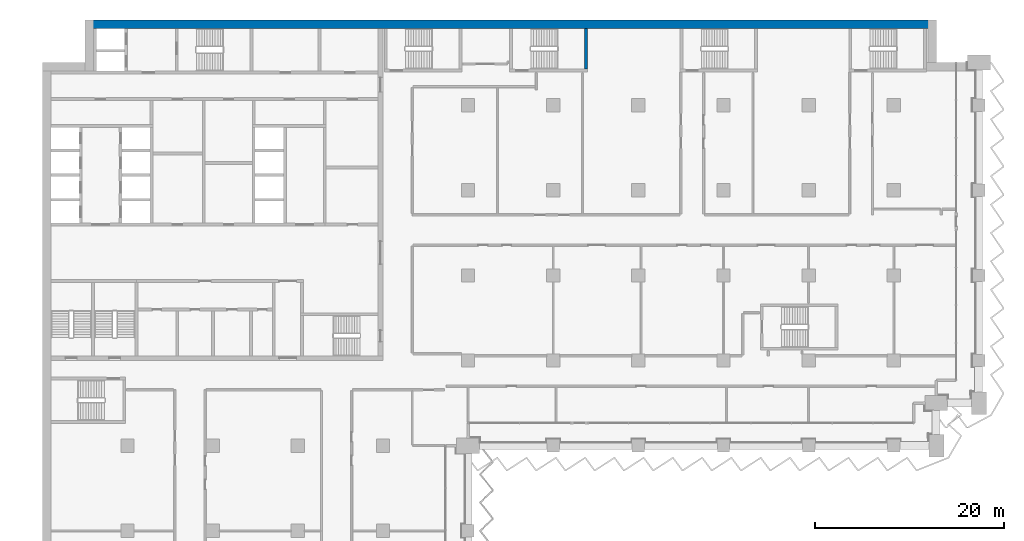
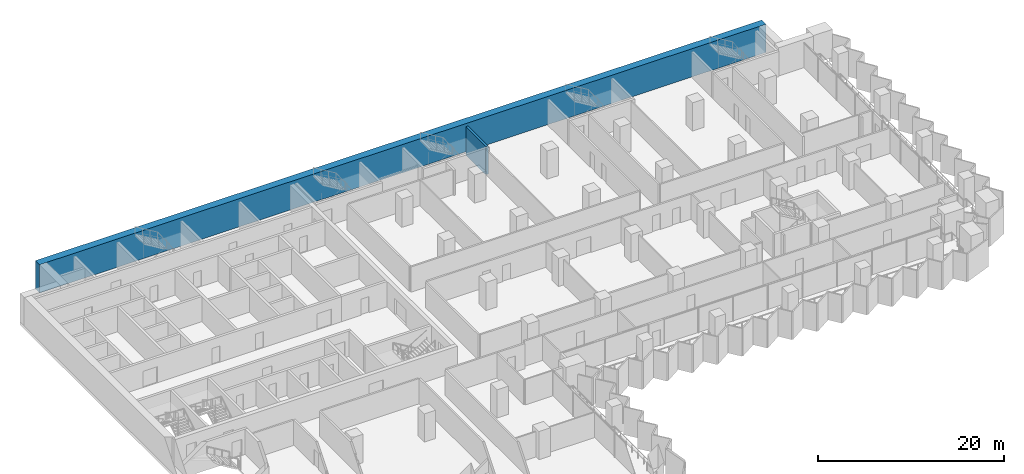
# One storey, part 18 of 29: 2 walls.
"""IFC4 building model written with IfcOpenShell, lengths in metres."""

import ifcopenshell
import ifcopenshell.guid

model = None  # the IFC model being written
_history = None  # IfcOwnerHistory: only IFC2X3 demands one
_inside = {}  # id of a spatial element -> (the spatial element, [elements in it])
_under = {}  # id of a project, library or spatial element -> (it, [spatial elements below it])
_declared = {}  # id of a project -> (the project, [libraries it declares])
_typed = {}  # id of a type object -> (the type object, [elements of that type])
_made_of = {}  # id of a material, layer set ... -> (it, [elements and type objects made of it])


def new_model(schema):
    """Start an empty IFC model of exactly this schema.

    Asked for "IFC4X3", IfcOpenShell would pick the latest addendum, in which some entities
    have other attributes; the version numbers below select the first issue.
    IFC2X3 requires an IfcOwnerHistory on every rooted entity: one is made here for all.
    """
    global model, _history
    if schema == "IFC4X3":
        model = ifcopenshell.file(schema_version=(4, 3, 0, 0))
    else:
        model = ifcopenshell.file(schema=schema)
    _inside.clear()
    _under.clear()
    _declared.clear()
    _typed.clear()
    _made_of.clear()
    _history = None
    if model.schema == "IFC2X3":
        org = make("IfcOrganization", Name="unknown")
        user = make(
            "IfcPersonAndOrganization",
            ThePerson=make("IfcPerson", FamilyName="unknown"),
            TheOrganization=org,
        )
        app = make(
            "IfcApplication",
            ApplicationDeveloper=org,
            Version="unknown",
            ApplicationFullName="unknown",
            ApplicationIdentifier="unknown",
        )
        _history = make(
            "IfcOwnerHistory",
            OwningUser=user,
            OwningApplication=app,
            ChangeAction="ADDED",
            CreationDate=0,
        )
    return model


def make(cls, **values):
    """One entity of the class cls with the attributes given. An attribute that is None is left unset."""
    return model.create_entity(
        cls, **{name: value for name, value in values.items() if value is not None}
    )


def rooted(cls, **values):
    """An entity with a GlobalId (a new one), such as an element, a storey or a relation."""
    return make(cls, GlobalId=ifcopenshell.guid.new(), OwnerHistory=_history, **values)


def si_unit(unit_type, name, prefix=None):
    """IfcSIUnit, for example si_unit("LENGTHUNIT", "METRE", prefix="MILLI")."""
    return make("IfcSIUnit", UnitType=unit_type, Prefix=prefix, Name=name)


def assignment(units):
    """IfcUnitAssignment: the units of a project."""
    return None if units is None else make("IfcUnitAssignment", Units=units)


def point(xyz):
    """IfcCartesianPoint."""
    return None if xyz is None else make("IfcCartesianPoint", Coordinates=xyz)


def direction(xyz):
    """IfcDirection."""
    return None if xyz is None else make("IfcDirection", DirectionRatios=xyz)


def frame(location, z_axis=None, x_axis=None):
    """IfcAxis2Placement3D, a coordinate frame: its origin and axes. An axis left out is left unset."""
    return make(
        "IfcAxis2Placement3D",
        Location=point(location),
        Axis=direction(z_axis),
        RefDirection=direction(x_axis),
    )


def frame_2d(location, x_axis=None):
    """IfcAxis2Placement2D, a coordinate frame in the plane: its origin and x axis."""
    return make(
        "IfcAxis2Placement2D", Location=point(location), RefDirection=direction(x_axis)
    )


def origin():
    """The frame at (0, 0, 0) with its axes left unset."""
    return frame((0.0, 0.0, 0.0))


def place(relative_to, where):
    """IfcLocalPlacement: puts the frame where relative to a parent placement (None: the world)."""
    return make(
        "IfcLocalPlacement", PlacementRelTo=relative_to, RelativePlacement=where
    )


def context(
    kind, dimensions, precision=None, world=None, true_north=None, identifier=None
):
    """IfcGeometricRepresentationContext, for example the 3D "Model" context."""
    return make(
        "IfcGeometricRepresentationContext",
        ContextIdentifier=identifier,
        ContextType=kind,
        CoordinateSpaceDimension=dimensions,
        Precision=precision,
        WorldCoordinateSystem=world,
        TrueNorth=true_north,
    )


def subcontext(parent, identifier, kind, view, scale=None):
    """IfcGeometricRepresentationSubContext, for example "Body" below "Model"."""
    return make(
        "IfcGeometricRepresentationSubContext",
        ContextIdentifier=identifier,
        ContextType=kind,
        ParentContext=parent,
        TargetScale=scale,
        TargetView=view,
    )


def project(units=None, contexts=None):
    """IfcProject with its units and contexts."""
    return rooted(
        "IfcProject",
        Name="project",
        RepresentationContexts=contexts,
        UnitsInContext=assignment(units),
    )


def spatial(cls, under=None, at=None, **own):
    """A site, building, storey or space (cls), placed at a placement, below another one or the project."""
    s = rooted(cls, ObjectPlacement=at, **own)
    if under is not None:
        _under.setdefault(under.id(), (under, []))[1].append(s)
    return s


def profile(cls, at=None, kind="AREA", **sizes):
    """A parametric profile (cls). Its sizes go by their IFC names, for example OverallWidth=200.0."""
    return make(cls, ProfileType=kind, Position=at, **sizes)


def rectangle(**sizes):
    """IfcRectangleProfileDef."""
    return profile("IfcRectangleProfileDef", **sizes)


def extrude(swept, where, along, depth):
    """IfcExtrudedAreaSolid: the profile swept, set in the frame where, extruded along a direction by depth."""
    return make(
        "IfcExtrudedAreaSolid",
        SweptArea=swept,
        Position=where,
        ExtrudedDirection=direction(along),
        Depth=depth,
    )


def shape(context_of_items, identifier, shape_type, items):
    """IfcShapeRepresentation: the items that make up one representation, for example the "Body"."""
    return make(
        "IfcShapeRepresentation",
        ContextOfItems=context_of_items,
        RepresentationIdentifier=identifier,
        RepresentationType=shape_type,
        Items=items,
    )


def material(Name=None, Category=None):
    """IfcMaterial."""
    return make("IfcMaterial", Name=Name, Category=Category)


def layer(
    of_material, thickness, ventilated=None, Name=None, Category=None, Priority=None
):
    """IfcMaterialLayer: one layer of a wall or slab, of a material (None: an air gap)."""
    return make(
        "IfcMaterialLayer",
        Material=of_material,
        LayerThickness=thickness,
        IsVentilated=ventilated,
        Name=Name,
        Category=Category,
        Priority=Priority,
    )


def layer_set(layers, Name=None):
    """IfcMaterialLayerSet."""
    return make("IfcMaterialLayerSet", MaterialLayers=layers, LayerSetName=Name)


def made_of(thing, what):
    """Note that an element or type object is made of a material, layer set ...; save() writes the relation."""
    if what is not None:
        _made_of.setdefault(what.id(), (what, []))[1].append(thing)
    return thing


def type_object(cls, material=None, **own):
    """A type object (cls), such as IfcWallType, which elements share."""
    return made_of(rooted(cls, **own), material)


def element(
    cls,
    number,
    at=None,
    inside=None,
    cuts=None,
    type_object=None,
    material=None,
    context=None,
    identifier="Body",
    shape_type=None,
    held_by="IfcProductDefinitionShape",
    body=None,
    shapes=None,
    **own,
):
    """One element of the class cls, such as IfcWall. Its Tag is "e" and its number.

    at: its placement. inside: the storey or other place that contains it. cuts: it is an
    opening in that element (IfcRelVoidsElement). A single representation is given by context,
    identifier, shape_type and body (its items); several are given by shapes. held_by: the class
    of the entity that holds the representations. save() writes the other relations.
    """
    e = rooted(cls, Tag="e%d" % number, ObjectPlacement=at, **own)
    if body is not None:
        shapes = [shape(context, identifier, shape_type, body)]
    if shapes is not None:
        e.Representation = make(held_by, Representations=shapes)
    if inside is not None:
        _inside.setdefault(inside.id(), (inside, []))[1].append(e)
    if cuts is not None:
        rooted(
            "IfcRelVoidsElement", RelatingBuildingElement=cuts, RelatedOpeningElement=e
        )
    if type_object is not None:
        _typed.setdefault(type_object.id(), (type_object, []))[1].append(e)
    return made_of(e, material)


def aggregate(whole, parts):
    """IfcRelAggregates: a whole, such as a stair, and the parts it consists of."""
    return rooted("IfcRelAggregates", RelatingObject=whole, RelatedObjects=parts)


def save(model, path):
    """Write the relations noted so far, then the file.

    IfcRelAggregates (storeys below a building ...), IfcRelContainedInSpatialStructure (elements
    in a storey), IfcRelDefinesByType, IfcRelAssociatesMaterial and IfcRelDeclares: one each for
    every whole, place, type object, material and project.
    """
    for whole, parts in _under.values():
        aggregate(whole, parts)
    for where, things in _inside.values():
        rooted(
            "IfcRelContainedInSpatialStructure",
            RelatedElements=things,
            RelatingStructure=where,
        )
    for kind, things in _typed.values():
        rooted("IfcRelDefinesByType", RelatedObjects=things, RelatingType=kind)
    for what, things in _made_of.values():
        rooted("IfcRelAssociatesMaterial", RelatedObjects=things, RelatingMaterial=what)
    for by, libraries in _declared.values():
        rooted("IfcRelDeclares", RelatingContext=by, RelatedDefinitions=libraries)
    model.write(path)


model = new_model("IFC4")

# Units and contexts
model_context = context("Model", 3, precision=1e-05, world=origin(), true_north=direction((0.0, 1.0)))
body_context = subcontext(model_context, "Body", "Model", "MODEL_VIEW")
ifc_project = project(units=[si_unit("LENGTHUNIT", "METRE"), si_unit("AREAUNIT", "SQUARE_METRE"), si_unit("VOLUMEUNIT", "CUBIC_METRE"), si_unit("PLANEANGLEUNIT", "RADIAN"), si_unit("MASSUNIT", "GRAM", prefix="KILO")], contexts=[model_context])

# Site, building, storey
site_placement = place(None, origin())
site = spatial("IfcSite", under=ifc_project, at=site_placement, CompositionType="ELEMENT")
building_placement = place(site_placement, origin())
building = spatial("IfcBuilding", under=site, at=building_placement, Name="Hunhe Ridgeline Campus", CompositionType="ELEMENT")
storey_placement = place(building_placement, frame((0.0, 0.0, 69.10009765625)))
storey = spatial("IfcBuildingStorey", under=building, at=storey_placement, Name="L16", CompositionType="ELEMENT", Elevation=69.10009765625)

# Walls
ifc_material = material(Name="Concrete C80", Category="concrete")
ifc_layer_1 = layer(ifc_material, 0.89990234375)
ifc_layer_set_1 = layer_set([ifc_layer_1], Name="Spine wall 900 Concrete C80")
wall_type_1 = type_object("IfcWallType", Name="Spine wall 900 Concrete C80", PredefinedType="SHEAR", material=ifc_layer_set_1)
wall_1_placement = place(storey_placement, frame((94.5, 98.550048828125, 0.0), z_axis=(0.0, 0.0, 1.0), x_axis=(-1.0, 0.0, 0.0)))
element("IfcWall", 1, at=wall_1_placement, inside=storey, type_object=wall_type_1, Name="Spine wall SW1-4 L16", PredefinedType="SHEAR", context=body_context, shape_type="SweptSolid", body=[
    extrude(rectangle(XDim=90.0, YDim=0.89990234375, at=frame_2d((45.0, 0.0))), origin(), (0.0, 0.0, 1.0), 3.699951171875),
])
ifc_layer_2 = layer(ifc_material, 0.300048828125)
ifc_layer_set_2 = layer_set([ifc_layer_2], Name="Stair wall 300 reinforced concrete C80")
wall_type_2 = type_object("IfcWallType", Name="Stair wall 300 reinforced concrete C80", PredefinedType="SOLIDWALL", material=ifc_layer_set_2)
wall_2_placement = place(storey_placement, frame((57.449951171875, 93.800048828125, -0.400146484375), z_axis=(0.0, 0.0, 1.0), x_axis=(0.0, 1.0, 0.0)))
element("IfcWall", 2, at=wall_2_placement, inside=storey, type_object=wall_type_2, Name="L16 core wall 68", PredefinedType="SOLIDWALL", context=body_context, shape_type="SweptSolid", body=[
    extrude(rectangle(XDim=4.300048828125, YDim=0.300048828125, at=frame_2d((2.14990234375, 0.0))), origin(), (0.0, 0.0, 1.0), 3.699951171875),
])

save(model, "model.ifc")
